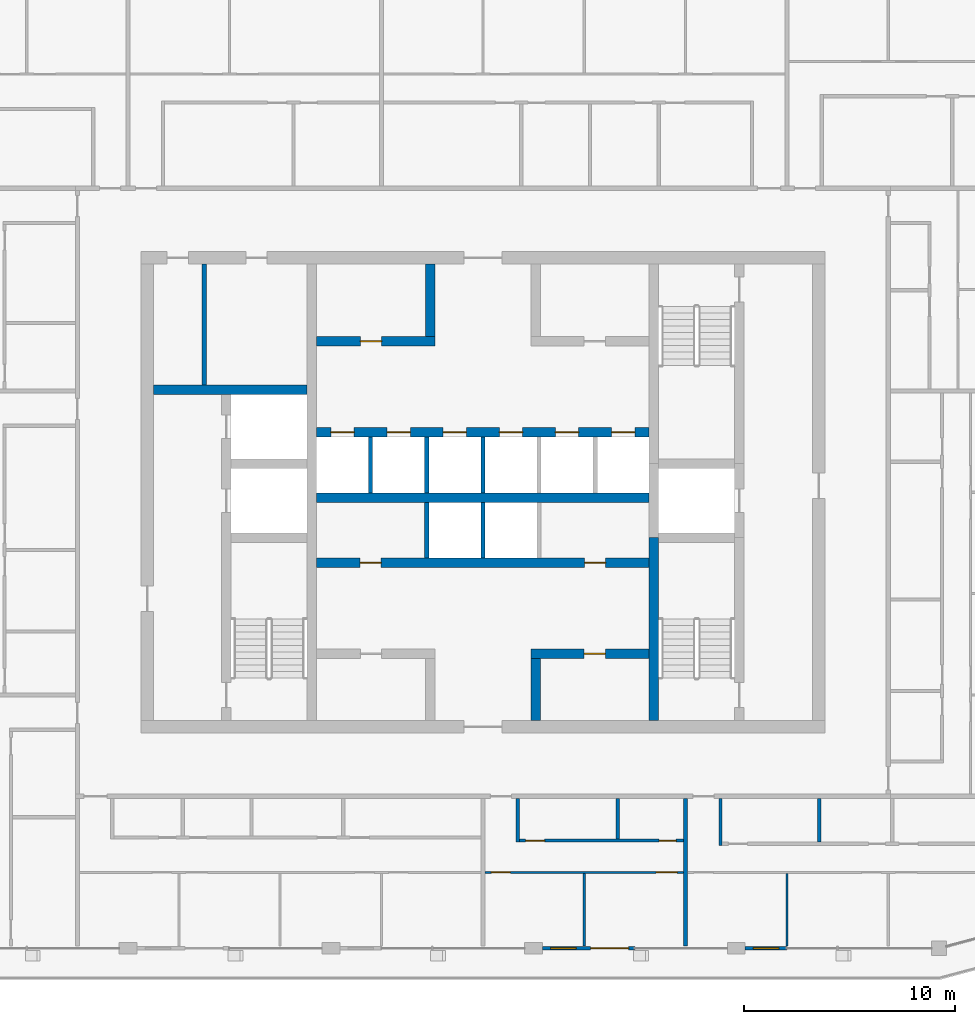
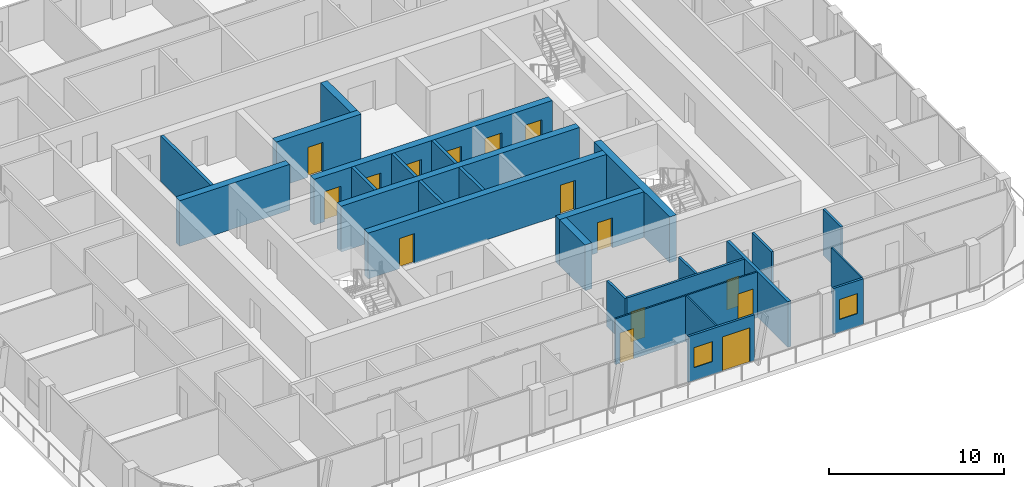
# One storey, part 11 of 21: 26 walls, 15 doors, 2 windows, 17 openings.
"""IFC4 building model written with IfcOpenShell, lengths in metres."""

from ifc_helpers import new_model, si_unit, direction, frame, frame_2d, origin, place, context, subcontext, project, spatial, rectangle, extrude, material, layer, layer_set, type_object, element, fill, save


model = new_model("IFC4")

# Units and contexts
model_context = context("Model", 3, precision=1e-05, world=origin(), true_north=direction((0.0, 1.0)))
body_context = subcontext(model_context, "Body", "Model", "MODEL_VIEW")
ifc_project = project(units=[si_unit("LENGTHUNIT", "METRE"), si_unit("AREAUNIT", "SQUARE_METRE"), si_unit("VOLUMEUNIT", "CUBIC_METRE"), si_unit("PLANEANGLEUNIT", "RADIAN"), si_unit("MASSUNIT", "GRAM", prefix="KILO")], contexts=[model_context])

# Site, building, storey
site_placement = place(None, origin())
site = spatial("IfcSite", under=ifc_project, at=site_placement, CompositionType="ELEMENT")
building_placement = place(site_placement, origin())
building = spatial("IfcBuilding", under=site, at=building_placement, Name="Madar Terraces", CompositionType="ELEMENT")
storey_placement = place(building_placement, frame((0.0, 0.0, 242.199951171875)))
storey = spatial("IfcBuildingStorey", under=building, at=storey_placement, Name="L63", CompositionType="ELEMENT", Elevation=242.199951171875)

# Walls
ifc_material_1 = material(Name="Concrete C55/67", Category="concrete")
ifc_layer_1 = layer(ifc_material_1, 0.449951171875)
ifc_layer_set_1 = layer_set([ifc_layer_1], Name="Concrete C55/67 (CIW5 RC wall 450)")
wall_type_1 = type_object("IfcWallType", Name="CIW5 RC wall 450", PredefinedType="SHEAR", material=ifc_layer_set_1)
wall_1_placement = place(storey_placement, frame((39.300048828125, 15.60009765625, 0.0), z_axis=(0.0, 0.0, 1.0), x_axis=(0.0, 1.0, 0.0)))
element("IfcWall", 1, at=wall_1_placement, inside=storey, type_object=wall_type_1, Name="CORE SHAFT WALL", PredefinedType="SHEAR", context=body_context, shape_type="SweptSolid", body=[
    extrude(rectangle(XDim=8.64990234375, YDim=0.449951171875, at=frame_2d((4.324951171875, 0.0))), origin(), (0.0, 0.0, 1.0), 3.199951171875),
])
wall_2_placement = place(storey_placement, frame((15.60009765625, 31.25, 0.0), z_axis=(0.0, 0.0, 1.0), x_axis=(1.0, 0.0, 0.0)))
element("IfcWall", 2, at=wall_2_placement, inside=storey, type_object=wall_type_1, Name="CORE SHAFT WALL", PredefinedType="SHEAR", context=body_context, shape_type="SweptSolid", body=[
    extrude(rectangle(XDim=7.27490234375, YDim=0.449951171875, at=frame_2d((3.637451171875, 0.0))), origin(), (0.0, 0.0, 1.0), 3.199951171875),
])

# Wall, opening, door
wall_3_placement = place(storey_placement, frame((33.47509765625, 18.75, 0.0), z_axis=(0.0, 0.0, 1.0), x_axis=(1.0, 0.0, 0.0)))
wall_3 = element("IfcWall", 3, at=wall_3_placement, inside=storey, type_object=wall_type_1, Name="CORE SHAFT WALL", PredefinedType="SHEAR", context=body_context, shape_type="SweptSolid", body=[
    extrude(rectangle(XDim=5.599853515625, YDim=0.449951171875, at=frame_2d((2.7998046875, 0.0))), origin(), (0.0, 0.0, 1.0), 3.199951171875),
])
opening_1_placement = place(wall_3_placement, frame((2.52490234375, 0.0, 0.0)))
opening_1 = element("IfcOpeningElement", 4, at=opening_1_placement, cuts=wall_3, Name="Opening KD2", PredefinedType="OPENING", context=body_context, shape_type="SweptSolid", body=[
    extrude(rectangle(XDim=1.0, YDim=2.10009765625, at=frame_2d((0.5, 1.050048828125))), frame((0.0, 0.23486328125, 0.0), z_axis=(0.0, -1.0, 0.0), x_axis=(1.0, 0.0, 0.0)), (0.0, 0.0, 1.0), 0.469970703125),
])
ifc_material_2 = material(Name="Steel door leaf", Category="steel")
door_type_1 = type_object("IfcDoorType", Name="Service room door 1000 x 2100", OperationType="NOTDEFINED", PredefinedType="DOOR", material=ifc_material_2)
door_1_placement = place(opening_1_placement, origin())
door_1 = element("IfcDoor", 5, at=door_1_placement, inside=storey, type_object=door_type_1, Name="SERVICE ROOM DOOR", OperationType="SINGLE_SWING_LEFT", OverallHeight=2.10009765625, OverallWidth=1.0, PredefinedType="DOOR", context=body_context, shape_type="SweptSolid", body=[
    extrude(rectangle(XDim=1.0, YDim=2.10009765625, at=frame_2d((0.5, 1.050048828125))), frame((0.0, 0.02490234375, 0.0), z_axis=(0.0, -1.0, 0.0), x_axis=(1.0, 0.0, 0.0)), (0.0, 0.0, 1.0), 0.050048828125),
])
fill(opening_1, door_1)

# Wall, openings, doors
wall_4_placement = place(storey_placement, frame((23.324951171875, 23.050048828125, 0.0), z_axis=(0.0, 0.0, 1.0), x_axis=(1.0, 0.0, 0.0)))
wall_4 = element("IfcWall", 6, at=wall_4_placement, inside=storey, type_object=wall_type_1, Name="CORE SHAFT WALL", PredefinedType="SHEAR", context=body_context, shape_type="SweptSolid", body=[
    extrude(rectangle(XDim=15.75, YDim=0.449951171875, at=frame_2d((7.875, 0.0))), origin(), (0.0, 0.0, 1.0), 3.199951171875),
])
opening_2_placement = place(wall_4_placement, frame((2.058349609375, 0.0, 0.0)))
opening_2 = element("IfcOpeningElement", 7, at=opening_2_placement, cuts=wall_4, Name="Opening KD2", PredefinedType="OPENING", context=body_context, shape_type="SweptSolid", body=[
    extrude(rectangle(XDim=1.0, YDim=2.10009765625, at=frame_2d((0.5, 1.050048828125))), frame((0.0, 0.23486328125, 0.0), z_axis=(0.0, -1.0, 0.0), x_axis=(1.0, 0.0, 0.0)), (0.0, 0.0, 1.0), 0.469970703125),
])
opening_3_placement = place(wall_4_placement, frame((12.691650390625, 0.0, 0.0)))
opening_3 = element("IfcOpeningElement", 8, at=opening_3_placement, cuts=wall_4, Name="Opening KD2", PredefinedType="OPENING", context=body_context, shape_type="SweptSolid", body=[
    extrude(rectangle(XDim=1.0, YDim=2.10009765625, at=frame_2d((0.5, 1.050048828125))), frame((0.0, 0.23486328125, 0.0), z_axis=(0.0, -1.0, 0.0), x_axis=(1.0, 0.0, 0.0)), (0.0, 0.0, 1.0), 0.469970703125),
])
door_2_placement = place(opening_2_placement, frame((1.0, 0.0, 0.0), z_axis=(0.0, 0.0, 1.0), x_axis=(-1.0, 0.0, 0.0)))
door_2 = element("IfcDoor", 9, at=door_2_placement, inside=storey, type_object=door_type_1, Name="SERVICE ROOM DOOR", OperationType="SINGLE_SWING_RIGHT", OverallHeight=2.10009765625, OverallWidth=1.0, PredefinedType="DOOR", context=body_context, shape_type="SweptSolid", body=[
    extrude(rectangle(XDim=1.0, YDim=2.10009765625, at=frame_2d((0.5, 1.050048828125))), frame((0.0, 0.02490234375, 0.0), z_axis=(0.0, -1.0, 0.0), x_axis=(1.0, 0.0, 0.0)), (0.0, 0.0, 1.0), 0.050048828125),
])
fill(opening_2, door_2)
door_3_placement = place(opening_3_placement, frame((1.0, 0.0, 0.0), z_axis=(0.0, 0.0, 1.0), x_axis=(-1.0, 0.0, 0.0)))
door_3 = element("IfcDoor", 10, at=door_3_placement, inside=storey, type_object=door_type_1, Name="SERVICE ROOM DOOR", OperationType="SINGLE_SWING_LEFT", OverallHeight=2.10009765625, OverallWidth=1.0, PredefinedType="DOOR", context=body_context, shape_type="SweptSolid", body=[
    extrude(rectangle(XDim=1.0, YDim=2.10009765625, at=frame_2d((0.5, 1.050048828125))), frame((0.0, 0.02490234375, 0.0), z_axis=(0.0, -1.0, 0.0), x_axis=(1.0, 0.0, 0.0)), (0.0, 0.0, 1.0), 0.050048828125),
])
fill(opening_3, door_3)

# Wall
wall_5_placement = place(storey_placement, frame((23.324951171875, 26.14990234375, 0.0), z_axis=(0.0, 0.0, 1.0), x_axis=(1.0, 0.0, 0.0)))
element("IfcWall", 11, at=wall_5_placement, inside=storey, type_object=wall_type_1, Name="CORE SHAFT WALL", PredefinedType="SHEAR", context=body_context, shape_type="SweptSolid", body=[
    extrude(rectangle(XDim=15.75, YDim=0.449951171875, at=frame_2d((7.875, 0.0))), origin(), (0.0, 0.0, 1.0), 3.199951171875),
])

# Wall, openings, doors
wall_6_placement = place(storey_placement, frame((23.324951171875, 29.25, 0.0), z_axis=(0.0, 0.0, 1.0), x_axis=(1.0, 0.0, 0.0)))
wall_6 = element("IfcWall", 12, at=wall_6_placement, inside=storey, type_object=wall_type_1, Name="CORE SHAFT WALL", PredefinedType="SHEAR", context=body_context, shape_type="SweptSolid", body=[
    extrude(rectangle(XDim=15.75, YDim=0.449951171875, at=frame_2d((7.875, 0.0))), origin(), (0.0, 0.0, 1.0), 3.199951171875),
])
opening_4_placement = place(wall_6_placement, frame((0.67919921875, 0.0, 0.0)))
opening_4 = element("IfcOpeningElement", 13, at=opening_4_placement, cuts=wall_6, Name="Opening LD", PredefinedType="OPENING", context=body_context, shape_type="SweptSolid", body=[
    extrude(rectangle(XDim=1.10009765625, YDim=2.10009765625, at=frame_2d((0.550048828125, 1.050048828125))), frame((0.0, 0.23486328125, 0.0), z_axis=(0.0, -1.0, 0.0), x_axis=(1.0, 0.0, 0.0)), (0.0, 0.0, 1.0), 0.469970703125),
])
opening_5_placement = place(wall_6_placement, frame((3.33740234375, 0.0, 0.0)))
opening_5 = element("IfcOpeningElement", 14, at=opening_5_placement, cuts=wall_6, Name="Opening LD", PredefinedType="OPENING", context=body_context, shape_type="SweptSolid", body=[
    extrude(rectangle(XDim=1.10009765625, YDim=2.10009765625, at=frame_2d((0.550048828125, 1.050048828125))), frame((0.0, 0.23486328125, 0.0), z_axis=(0.0, -1.0, 0.0), x_axis=(1.0, 0.0, 0.0)), (0.0, 0.0, 1.0), 0.469970703125),
])
opening_6_placement = place(wall_6_placement, frame((5.995849609375, 0.0, 0.0)))
opening_6 = element("IfcOpeningElement", 15, at=opening_6_placement, cuts=wall_6, Name="Opening LD", PredefinedType="OPENING", context=body_context, shape_type="SweptSolid", body=[
    extrude(rectangle(XDim=1.10009765625, YDim=2.10009765625, at=frame_2d((0.550048828125, 1.050048828125))), frame((0.0, 0.23486328125, 0.0), z_axis=(0.0, -1.0, 0.0), x_axis=(1.0, 0.0, 0.0)), (0.0, 0.0, 1.0), 0.469970703125),
])
opening_7_placement = place(wall_6_placement, frame((8.654052734375, 0.0, 0.0)))
opening_7 = element("IfcOpeningElement", 16, at=opening_7_placement, cuts=wall_6, Name="Opening LD", PredefinedType="OPENING", context=body_context, shape_type="SweptSolid", body=[
    extrude(rectangle(XDim=1.10009765625, YDim=2.10009765625, at=frame_2d((0.550048828125, 1.050048828125))), frame((0.0, 0.23486328125, 0.0), z_axis=(0.0, -1.0, 0.0), x_axis=(1.0, 0.0, 0.0)), (0.0, 0.0, 1.0), 0.469970703125),
])
opening_8_placement = place(wall_6_placement, frame((11.3125, 0.0, 0.0)))
opening_8 = element("IfcOpeningElement", 17, at=opening_8_placement, cuts=wall_6, Name="Opening LD", PredefinedType="OPENING", context=body_context, shape_type="SweptSolid", body=[
    extrude(rectangle(XDim=1.10009765625, YDim=2.10009765625, at=frame_2d((0.550048828125, 1.050048828125))), frame((0.0, 0.23486328125, 0.0), z_axis=(0.0, -1.0, 0.0), x_axis=(1.0, 0.0, 0.0)), (0.0, 0.0, 1.0), 0.469970703125),
])
opening_9_placement = place(wall_6_placement, frame((13.970947265625, 0.0, 0.0)))
opening_9 = element("IfcOpeningElement", 18, at=opening_9_placement, cuts=wall_6, Name="Opening LD", PredefinedType="OPENING", context=body_context, shape_type="SweptSolid", body=[
    extrude(rectangle(XDim=1.10009765625, YDim=2.10009765625, at=frame_2d((0.550048828125, 1.050048828125))), frame((0.0, 0.23486328125, 0.0), z_axis=(0.0, -1.0, 0.0), x_axis=(1.0, 0.0, 0.0)), (0.0, 0.0, 1.0), 0.469970703125),
])
ifc_material_3 = material(Name="Stainless steel panel", Category="steel")
door_type_2 = type_object("IfcDoorType", Name="Lift landing door 1100 x 2100", OperationType="DOUBLE_DOOR_SLIDING", PredefinedType="DOOR", material=ifc_material_3)
door_4_placement = place(opening_4_placement, origin())
door_4 = element("IfcDoor", 19, at=door_4_placement, inside=storey, type_object=door_type_2, Name="LIFT LANDING DOOR", OperationType="DOUBLE_DOOR_SLIDING", OverallHeight=2.10009765625, OverallWidth=1.10009765625, PredefinedType="DOOR", context=body_context, shape_type="SweptSolid", body=[
    extrude(rectangle(XDim=1.10009765625, YDim=2.10009765625, at=frame_2d((0.550048828125, 1.050048828125))), frame((0.0, 0.02490234375, 0.0), z_axis=(0.0, -1.0, 0.0), x_axis=(1.0, 0.0, 0.0)), (0.0, 0.0, 1.0), 0.050048828125),
])
fill(opening_4, door_4)
door_5_placement = place(opening_5_placement, origin())
door_5 = element("IfcDoor", 20, at=door_5_placement, inside=storey, type_object=door_type_2, Name="LIFT LANDING DOOR", OperationType="DOUBLE_DOOR_SLIDING", OverallHeight=2.10009765625, OverallWidth=1.10009765625, PredefinedType="DOOR", context=body_context, shape_type="SweptSolid", body=[
    extrude(rectangle(XDim=1.10009765625, YDim=2.10009765625, at=frame_2d((0.550048828125, 1.050048828125))), frame((0.0, 0.02490234375, 0.0), z_axis=(0.0, -1.0, 0.0), x_axis=(1.0, 0.0, 0.0)), (0.0, 0.0, 1.0), 0.050048828125),
])
fill(opening_5, door_5)
door_6_placement = place(opening_6_placement, origin())
door_6 = element("IfcDoor", 21, at=door_6_placement, inside=storey, type_object=door_type_2, Name="LIFT LANDING DOOR", OperationType="DOUBLE_DOOR_SLIDING", OverallHeight=2.10009765625, OverallWidth=1.10009765625, PredefinedType="DOOR", context=body_context, shape_type="SweptSolid", body=[
    extrude(rectangle(XDim=1.10009765625, YDim=2.10009765625, at=frame_2d((0.550048828125, 1.050048828125))), frame((0.0, 0.02490234375, 0.0), z_axis=(0.0, -1.0, 0.0), x_axis=(1.0, 0.0, 0.0)), (0.0, 0.0, 1.0), 0.050048828125),
])
fill(opening_6, door_6)
door_7_placement = place(opening_7_placement, origin())
door_7 = element("IfcDoor", 22, at=door_7_placement, inside=storey, type_object=door_type_2, Name="LIFT LANDING DOOR", OperationType="DOUBLE_DOOR_SLIDING", OverallHeight=2.10009765625, OverallWidth=1.10009765625, PredefinedType="DOOR", context=body_context, shape_type="SweptSolid", body=[
    extrude(rectangle(XDim=1.10009765625, YDim=2.10009765625, at=frame_2d((0.550048828125, 1.050048828125))), frame((0.0, 0.02490234375, 0.0), z_axis=(0.0, -1.0, 0.0), x_axis=(1.0, 0.0, 0.0)), (0.0, 0.0, 1.0), 0.050048828125),
])
fill(opening_7, door_7)
door_8_placement = place(opening_8_placement, origin())
door_8 = element("IfcDoor", 23, at=door_8_placement, inside=storey, type_object=door_type_2, Name="LIFT LANDING DOOR", OperationType="DOUBLE_DOOR_SLIDING", OverallHeight=2.10009765625, OverallWidth=1.10009765625, PredefinedType="DOOR", context=body_context, shape_type="SweptSolid", body=[
    extrude(rectangle(XDim=1.10009765625, YDim=2.10009765625, at=frame_2d((0.550048828125, 1.050048828125))), frame((0.0, 0.02490234375, 0.0), z_axis=(0.0, -1.0, 0.0), x_axis=(1.0, 0.0, 0.0)), (0.0, 0.0, 1.0), 0.050048828125),
])
fill(opening_8, door_8)
door_9_placement = place(opening_9_placement, origin())
door_9 = element("IfcDoor", 24, at=door_9_placement, inside=storey, type_object=door_type_2, Name="LIFT LANDING DOOR", OperationType="DOUBLE_DOOR_SLIDING", OverallHeight=2.10009765625, OverallWidth=1.10009765625, PredefinedType="DOOR", context=body_context, shape_type="SweptSolid", body=[
    extrude(rectangle(XDim=1.10009765625, YDim=2.10009765625, at=frame_2d((0.550048828125, 1.050048828125))), frame((0.0, 0.02490234375, 0.0), z_axis=(0.0, -1.0, 0.0), x_axis=(1.0, 0.0, 0.0)), (0.0, 0.0, 1.0), 0.050048828125),
])
fill(opening_9, door_9)

# Wall, opening, door
wall_7_placement = place(storey_placement, frame((23.324951171875, 33.550048828125, 0.0), z_axis=(0.0, 0.0, 1.0), x_axis=(1.0, 0.0, 0.0)))
wall_7 = element("IfcWall", 25, at=wall_7_placement, inside=storey, type_object=wall_type_1, Name="CORE SHAFT WALL", PredefinedType="SHEAR", context=body_context, shape_type="SweptSolid", body=[
    extrude(rectangle(XDim=5.60009765625, YDim=0.449951171875, at=frame_2d((2.800048828125, 0.0))), origin(), (0.0, 0.0, 1.0), 3.199951171875),
])
opening_10_placement = place(wall_7_placement, frame((2.074951171875, 0.0, 0.0)))
opening_10 = element("IfcOpeningElement", 26, at=opening_10_placement, cuts=wall_7, Name="Opening KD2", PredefinedType="OPENING", context=body_context, shape_type="SweptSolid", body=[
    extrude(rectangle(XDim=1.0, YDim=2.10009765625, at=frame_2d((0.5, 1.050048828125))), frame((0.0, 0.23486328125, 0.0), z_axis=(0.0, -1.0, 0.0), x_axis=(1.0, 0.0, 0.0)), (0.0, 0.0, 1.0), 0.469970703125),
])
door_10_placement = place(opening_10_placement, frame((1.0, 0.0, 0.0), z_axis=(0.0, 0.0, 1.0), x_axis=(-1.0, 0.0, 0.0)))
door_10 = element("IfcDoor", 27, at=door_10_placement, inside=storey, type_object=door_type_1, Name="SERVICE ROOM DOOR", OperationType="SINGLE_SWING_RIGHT", OverallHeight=2.10009765625, OverallWidth=1.0, PredefinedType="DOOR", context=body_context, shape_type="SweptSolid", body=[
    extrude(rectangle(XDim=1.0, YDim=2.10009765625, at=frame_2d((0.5, 1.050048828125))), frame((0.0, 0.02490234375, 0.0), z_axis=(0.0, -1.0, 0.0), x_axis=(1.0, 0.0, 0.0)), (0.0, 0.0, 1.0), 0.050048828125),
])
fill(opening_10, door_10)

# Walls
wall_8_placement = place(storey_placement, frame((33.699951171875, 15.60009765625, 0.0), z_axis=(0.0, 0.0, 1.0), x_axis=(0.0, 1.0, 0.0)))
element("IfcWall", 28, at=wall_8_placement, inside=storey, type_object=wall_type_1, Name="CORE SHAFT WALL", PredefinedType="SHEAR", context=body_context, shape_type="SweptSolid", body=[
    extrude(rectangle(XDim=2.9248046875, YDim=0.449951171875, at=frame_2d((1.46240234375, 0.0))), origin(), (0.0, 0.0, 1.0), 3.199951171875),
])
wall_9_placement = place(storey_placement, frame((28.699951171875, 33.77490234375, 0.0), z_axis=(0.0, 0.0, 1.0), x_axis=(0.0, 1.0, 0.0)))
element("IfcWall", 29, at=wall_9_placement, inside=storey, type_object=wall_type_1, Name="CORE SHAFT WALL", PredefinedType="SHEAR", context=body_context, shape_type="SweptSolid", body=[
    extrude(rectangle(XDim=3.425048828125, YDim=0.449951171875, at=frame_2d((1.71240234375, 0.0))), origin(), (0.0, 0.0, 1.0), 3.199951171875),
])
ifc_material_4 = material(Name="Masonry blockwork", Category="masonry")
ifc_layer_2 = layer(ifc_material_4, 0.199951171875)
ifc_layer_set_2 = layer_set([ifc_layer_2], Name="Core partition 200 blockwork")
wall_type_2 = type_object("IfcWallType", Name="Core partition 200 blockwork", PredefinedType="PARTITIONING", material=ifc_layer_set_2)
wall_10_placement = place(storey_placement, frame((18.000732421875, 31.47509765625, 0.0), z_axis=(0.0, 0.0, 1.0), x_axis=(0.0, 1.0, 0.0)))
element("IfcWall", 30, at=wall_10_placement, inside=storey, type_object=wall_type_2, Name="SERVICE ROOM PARTITION", PredefinedType="PARTITIONING", context=body_context, shape_type="SweptSolid", body=[
    extrude(rectangle(XDim=5.724853515625, YDim=0.199951171875, at=frame_2d((2.8623046875, 0.0))), origin(), (0.0, 0.0, 1.0), 3.199951171875),
])
ifc_material_5 = material(Name="Concrete C40/50", Category="concrete")
ifc_layer_3 = layer(ifc_material_5, 0.199951171875)
ifc_layer_set_3 = layer_set([ifc_layer_3], Name="Core shaft dividing wall 200 C40/50")
wall_type_3 = type_object("IfcWallType", Name="Core shaft dividing wall 200 C40/50", PredefinedType="SOLIDWALL", material=ifc_layer_set_3)
wall_11_placement = place(storey_placement, frame((25.88330078125, 26.375, 0.0), z_axis=(0.0, 0.0, 1.0), x_axis=(0.0, 1.0, 0.0)))
element("IfcWall", 31, at=wall_11_placement, inside=storey, type_object=wall_type_3, Name="SHAFT DIVIDING WALL", PredefinedType="SOLIDWALL", context=body_context, shape_type="SweptSolid", body=[
    extrude(rectangle(XDim=2.64990234375, YDim=0.199951171875, at=frame_2d((1.324951171875, 0.0))), origin(), (0.0, 0.0, 1.0), 3.199951171875),
])
wall_12_placement = place(storey_placement, frame((28.541748046875, 23.27490234375, 0.0), z_axis=(0.0, 0.0, 1.0), x_axis=(0.0, 1.0, 0.0)))
element("IfcWall", 32, at=wall_12_placement, inside=storey, type_object=wall_type_3, Name="SHAFT DIVIDING WALL", PredefinedType="SOLIDWALL", context=body_context, shape_type="SweptSolid", body=[
    extrude(rectangle(XDim=2.650146484375, YDim=0.199951171875, at=frame_2d((1.3251953125, 0.0))), origin(), (0.0, 0.0, 1.0), 3.199951171875),
])
wall_13_placement = place(storey_placement, frame((28.541748046875, 26.375, 0.0), z_axis=(0.0, 0.0, 1.0), x_axis=(0.0, 1.0, 0.0)))
element("IfcWall", 33, at=wall_13_placement, inside=storey, type_object=wall_type_3, Name="SHAFT DIVIDING WALL", PredefinedType="SOLIDWALL", context=body_context, shape_type="SweptSolid", body=[
    extrude(rectangle(XDim=2.64990234375, YDim=0.199951171875, at=frame_2d((1.324951171875, 0.0))), origin(), (0.0, 0.0, 1.0), 3.199951171875),
])
wall_14_placement = place(storey_placement, frame((31.199951171875, 23.27490234375, 0.0), z_axis=(0.0, 0.0, 1.0), x_axis=(0.0, 1.0, 0.0)))
element("IfcWall", 34, at=wall_14_placement, inside=storey, type_object=wall_type_3, Name="SHAFT DIVIDING WALL", PredefinedType="SOLIDWALL", context=body_context, shape_type="SweptSolid", body=[
    extrude(rectangle(XDim=2.650146484375, YDim=0.199951171875, at=frame_2d((1.3251953125, 0.0))), origin(), (0.0, 0.0, 1.0), 3.199951171875),
])
wall_15_placement = place(storey_placement, frame((31.199951171875, 26.375, 0.0), z_axis=(0.0, 0.0, 1.0), x_axis=(0.0, 1.0, 0.0)))
element("IfcWall", 35, at=wall_15_placement, inside=storey, type_object=wall_type_3, Name="SHAFT DIVIDING WALL", PredefinedType="SOLIDWALL", context=body_context, shape_type="SweptSolid", body=[
    extrude(rectangle(XDim=2.64990234375, YDim=0.199951171875, at=frame_2d((1.324951171875, 0.0))), origin(), (0.0, 0.0, 1.0), 3.199951171875),
])

# Wall, openings, door, window
ifc_material_6 = material(Name="Aluminium composite panel, black, over insulated backing", Category="aluminium")
ifc_layer_4 = layer(ifc_material_6, 0.14990234375)
ifc_layer_set_4 = layer_set([ifc_layer_4], Name="Facade bay panel 150")
wall_type_4 = type_object("IfcWallType", Name="Facade bay panel 150", PredefinedType="SOLIDWALL", material=ifc_layer_set_4)
wall_16_placement = place(storey_placement, frame((34.02490234375, 4.800048828125, 0.0), z_axis=(0.0, 0.0, 1.0), x_axis=(1.0, 0.0, 0.0)))
wall_16 = element("IfcWall", 36, at=wall_16_placement, inside=storey, type_object=wall_type_4, Name="Facade bay panel", PredefinedType="SOLIDWALL", context=body_context, shape_type="SweptSolid", body=[
    extrude(rectangle(XDim=4.375, YDim=0.14990234375, at=frame_2d((2.1875, 0.0))), origin(), (0.0, 0.0, 1.0), 3.199951171875),
])
opening_11_placement = place(wall_16_placement, frame((0.387451171875, 0.0, 0.89990234375)))
opening_11 = element("IfcOpeningElement", 37, at=opening_11_placement, cuts=wall_16, Name="Opening W1", PredefinedType="OPENING", context=body_context, shape_type="SweptSolid", body=[
    extrude(rectangle(XDim=1.199951171875, YDim=1.39990234375, at=frame_2d((0.60009765625, 0.699951171875))), frame((0.0, 0.0849609375, 0.0), z_axis=(0.0, -1.0, 0.0), x_axis=(1.0, 0.0, 0.0)), (0.0, 0.0, 1.0), 0.169921875),
])
opening_12_placement = place(wall_16_placement, frame((2.27490234375, 0.0, 0.0)))
opening_12 = element("IfcOpeningElement", 38, at=opening_12_placement, cuts=wall_16, Name="Opening ED1", PredefinedType="OPENING", context=body_context, shape_type="SweptSolid", body=[
    extrude(rectangle(XDim=1.800048828125, YDim=2.39990234375, at=frame_2d((0.89990234375, 1.199951171875))), frame((0.0, 0.0849609375, 0.0), z_axis=(0.0, -1.0, 0.0), x_axis=(1.0, 0.0, 0.0)), (0.0, 0.0, 1.0), 0.169921875),
])
ifc_material_7 = material(Name="Glass, clear, with black aluminium frame", Category="aluminium")
door_type_3 = type_object("IfcDoorType", Name="Balcony and terrace sliding door 1800 x 2400", OperationType="SLIDING_TO_LEFT", PredefinedType="DOOR", material=ifc_material_7)
door_11_placement = place(opening_12_placement, origin())
door_11 = element("IfcDoor", 39, at=door_11_placement, inside=storey, type_object=door_type_3, Name="Balcony door", OperationType="SLIDING_TO_RIGHT", OverallHeight=2.39990234375, OverallWidth=1.800048828125, PredefinedType="DOOR", context=body_context, shape_type="SweptSolid", body=[
    extrude(rectangle(XDim=1.800048828125, YDim=2.39990234375, at=frame_2d((0.89990234375, 1.199951171875))), frame((0.0, 0.02490234375, 0.0), z_axis=(0.0, -1.0, 0.0), x_axis=(1.0, 0.0, 0.0)), (0.0, 0.0, 1.0), 0.050048828125),
])
fill(opening_12, door_11)
ifc_material_8 = material(Name="Glass, clear, with black aluminium frame", Category="aluminium")
window_type = type_object("IfcWindowType", Name="Vent window 1200 x 1400", PartitioningType="SINGLE_PANEL", PredefinedType="WINDOW", material=ifc_material_8)
window_1_placement = place(opening_11_placement, origin())
window_1 = element("IfcWindow", 40, at=window_1_placement, inside=storey, type_object=window_type, Name="Operable vent window", OverallHeight=1.39990234375, OverallWidth=1.199951171875, PartitioningType="SINGLE_PANEL", PredefinedType="WINDOW", context=body_context, shape_type="SweptSolid", body=[
    extrude(rectangle(XDim=1.199951171875, YDim=1.39990234375, at=frame_2d((0.60009765625, 0.699951171875))), frame((0.0, 0.030029296875, 0.0), z_axis=(0.0, -1.0, 0.0), x_axis=(1.0, 0.0, 0.0)), (0.0, 0.0, 1.0), 0.06005859375),
])
fill(opening_11, window_1)

# Wall, opening, window
wall_17_placement = place(storey_placement, frame((43.625, 4.800048828125, 0.0), z_axis=(0.0, 0.0, 1.0), x_axis=(1.0, 0.0, 0.0)))
wall_17 = element("IfcWall", 41, at=wall_17_placement, inside=storey, type_object=wall_type_4, Name="Facade bay panel", PredefinedType="SOLIDWALL", context=body_context, shape_type="SweptSolid", body=[
    extrude(rectangle(XDim=1.97509765625, YDim=0.14990234375, at=frame_2d((0.987548828125, 0.0))), origin(), (0.0, 0.0, 1.0), 3.199951171875),
])
opening_13_placement = place(wall_17_placement, frame((0.387451171875, 0.0, 0.89990234375)))
opening_13 = element("IfcOpeningElement", 42, at=opening_13_placement, cuts=wall_17, Name="Opening W1", PredefinedType="OPENING", context=body_context, shape_type="SweptSolid", body=[
    extrude(rectangle(XDim=1.199951171875, YDim=1.39990234375, at=frame_2d((0.60009765625, 0.699951171875))), frame((0.0, 0.0849609375, 0.0), z_axis=(0.0, -1.0, 0.0), x_axis=(1.0, 0.0, 0.0)), (0.0, 0.0, 1.0), 0.169921875),
])
window_2_placement = place(opening_13_placement, origin())
window_2 = element("IfcWindow", 43, at=window_2_placement, inside=storey, type_object=window_type, Name="Operable vent window", OverallHeight=1.39990234375, OverallWidth=1.199951171875, PartitioningType="SINGLE_PANEL", PredefinedType="WINDOW", context=body_context, shape_type="SweptSolid", body=[
    extrude(rectangle(XDim=1.199951171875, YDim=1.39990234375, at=frame_2d((0.60009765625, 0.699951171875))), frame((0.0, 0.030029296875, 0.0), z_axis=(0.0, -1.0, 0.0), x_axis=(1.0, 0.0, 0.0)), (0.0, 0.0, 1.0), 0.06005859375),
])
fill(opening_13, window_2)

# Wall
ifc_material_9 = material(Name="Gypsum board on steel studs", Category="steel")
ifc_layer_5 = layer(ifc_material_9, 0.10009765625)
ifc_layer_set_5 = layer_set([ifc_layer_5], Name="Flat partition 100")
wall_type_5 = type_object("IfcWallType", Name="Flat partition 100", PredefinedType="PARTITIONING", material=ifc_layer_set_5)
wall_18_placement = place(storey_placement, frame((36.0, 8.35009765625, 0.0), z_axis=(0.0, 0.0, 1.0), x_axis=(0.0, -1.0, 0.0)))
element("IfcWall", 44, at=wall_18_placement, inside=storey, type_object=wall_type_5, Name="Flat partition 100", PredefinedType="PARTITIONING", context=body_context, shape_type="SweptSolid", body=[
    extrude(rectangle(XDim=3.4501953125, YDim=0.10009765625, at=frame_2d((1.72509765625, 0.0))), origin(), (0.0, 0.0, 1.0), 3.199951171875),
])

# Wall, openings, doors
wall_19_placement = place(storey_placement, frame((40.699951171875, 8.39990234375, 0.0), z_axis=(0.0, 0.0, 1.0), x_axis=(-1.0, 0.0, 0.0)))
wall_19 = element("IfcWall", 45, at=wall_19_placement, inside=storey, type_object=wall_type_5, Name="Flat partition 100", PredefinedType="PARTITIONING", context=body_context, shape_type="SweptSolid", body=[
    extrude(rectangle(XDim=9.39990234375, YDim=0.10009765625, at=frame_2d((4.699951171875, 0.0))), origin(), (0.0, 0.0, 1.0), 3.199951171875),
])
opening_14_placement = place(wall_19_placement, frame((8.199951171875, 0.0, 0.0)))
opening_14 = element("IfcOpeningElement", 46, at=opening_14_placement, cuts=wall_19, Name="Opening D2", PredefinedType="OPENING", context=body_context, shape_type="SweptSolid", body=[
    extrude(rectangle(XDim=0.89990234375, YDim=2.10009765625, at=frame_2d((0.449951171875, 1.050048828125))), frame((0.0, 0.06005859375, 0.0), z_axis=(0.0, -1.0, 0.0), x_axis=(1.0, 0.0, 0.0)), (0.0, 0.0, 1.0), 0.1201171875),
])
opening_15_placement = place(wall_19_placement, frame((0.300048828125, 0.0, 0.0)))
opening_15 = element("IfcOpeningElement", 47, at=opening_15_placement, cuts=wall_19, Name="Opening D3", PredefinedType="OPENING", context=body_context, shape_type="SweptSolid", body=[
    extrude(rectangle(XDim=1.0, YDim=2.10009765625, at=frame_2d((0.5, 1.050048828125))), frame((0.0, 0.06005859375, 0.0), z_axis=(0.0, -1.0, 0.0), x_axis=(1.0, 0.0, 0.0)), (0.0, 0.0, 1.0), 0.1201171875),
])
ifc_material_10 = material(Name="Timber door leaf", Category="wood")
door_type_4 = type_object("IfcDoorType", Name="Flat living room door 1000", OperationType="NOTDEFINED", PredefinedType="DOOR", material=ifc_material_10)
door_12_placement = place(opening_15_placement, origin())
door_12 = element("IfcDoor", 48, at=door_12_placement, inside=storey, type_object=door_type_4, Name="Flat living room door 1000", OperationType="SINGLE_SWING_LEFT", OverallHeight=2.10009765625, OverallWidth=1.0, PredefinedType="DOOR", context=body_context, shape_type="SweptSolid", body=[
    extrude(rectangle(XDim=1.0, YDim=2.10009765625, at=frame_2d((0.5, 1.050048828125))), frame((0.0, 0.02490234375, 0.0), z_axis=(0.0, -1.0, 0.0), x_axis=(1.0, 0.0, 0.0)), (0.0, 0.0, 1.0), 0.050048828125),
])
fill(opening_15, door_12)
ifc_material_11 = material(Name="Timber door leaf", Category="wood")
door_type_5 = type_object("IfcDoorType", Name="Flat room door 900", OperationType="NOTDEFINED", PredefinedType="DOOR", material=ifc_material_11)
door_13_placement = place(opening_14_placement, origin())
door_13 = element("IfcDoor", 49, at=door_13_placement, inside=storey, type_object=door_type_5, Name="Flat room door 900", OperationType="SINGLE_SWING_RIGHT", OverallHeight=2.10009765625, OverallWidth=0.89990234375, PredefinedType="DOOR", context=body_context, shape_type="SweptSolid", body=[
    extrude(rectangle(XDim=0.89990234375, YDim=2.10009765625, at=frame_2d((0.449951171875, 1.050048828125))), frame((0.0, 0.02490234375, 0.0), z_axis=(0.0, -1.0, 0.0), x_axis=(1.0, 0.0, 0.0)), (0.0, 0.0, 1.0), 0.050048828125),
])
fill(opening_14, door_13)

# Walls
wall_20_placement = place(storey_placement, frame((45.60009765625, 8.35009765625, 0.0), z_axis=(0.0, 0.0, 1.0), x_axis=(0.0, -1.0, 0.0)))
element("IfcWall", 50, at=wall_20_placement, inside=storey, type_object=wall_type_5, Name="Flat partition 100", PredefinedType="PARTITIONING", context=body_context, shape_type="SweptSolid", body=[
    extrude(rectangle(XDim=3.4501953125, YDim=0.10009765625, at=frame_2d((1.72509765625, 0.0))), origin(), (0.0, 0.0, 1.0), 3.199951171875),
])
ifc_material_12 = material(Name="Lightweight blockwork", Category="masonry")
ifc_layer_6 = layer(ifc_material_12, 0.199951171875)
ifc_layer_set_6 = layer_set([ifc_layer_6], Name="Flat party and entrance wall 200")
wall_type_6 = type_object("IfcWallType", Name="Flat party and entrance wall 200", PredefinedType="PARTITIONING", material=ifc_layer_set_6)
wall_21_placement = place(storey_placement, frame((40.800048828125, 11.89990234375, 0.0), z_axis=(0.0, 0.0, 1.0), x_axis=(0.0, -1.0, 0.0)))
element("IfcWall", 51, at=wall_21_placement, inside=storey, type_object=wall_type_6, Name="Flat party and entrance wall 200", PredefinedType="PARTITIONING", context=body_context, shape_type="SweptSolid", body=[
    extrude(rectangle(XDim=7.0, YDim=0.199951171875, at=frame_2d((3.5, 0.0))), origin(), (0.0, 0.0, 1.0), 3.199951171875),
])
ifc_material_13 = material(Name="Lightweight blockwork", Category="masonry")
ifc_layer_7 = layer(ifc_material_13, 0.14990234375)
ifc_layer_set_7 = layer_set([ifc_layer_7], Name="Flat wet-room partition 150")
wall_type_7 = type_object("IfcWallType", Name="Flat wet-room partition 150", PredefinedType="PARTITIONING", material=ifc_layer_set_7)
wall_22_placement = place(storey_placement, frame((37.590087890625, 11.89990234375, 0.0), z_axis=(0.0, 0.0, 1.0), x_axis=(0.0, -1.0, 0.0)))
element("IfcWall", 52, at=wall_22_placement, inside=storey, type_object=wall_type_7, Name="Flat wet-room partition 150", PredefinedType="PARTITIONING", context=body_context, shape_type="SweptSolid", body=[
    extrude(rectangle(XDim=1.9248046875, YDim=0.14990234375, at=frame_2d((0.96240234375, 0.0))), origin(), (0.0, 0.0, 1.0), 3.199951171875),
])
wall_23_placement = place(storey_placement, frame((32.85009765625, 11.89990234375, 0.0), z_axis=(0.0, 0.0, 1.0), x_axis=(0.0, -1.0, 0.0)))
element("IfcWall", 53, at=wall_23_placement, inside=storey, type_object=wall_type_7, Name="Flat wet-room partition 150", PredefinedType="PARTITIONING", context=body_context, shape_type="SweptSolid", body=[
    extrude(rectangle(XDim=2.074951171875, YDim=0.14990234375, at=frame_2d((1.03759765625, 0.0))), origin(), (0.0, 0.0, 1.0), 3.199951171875),
])

# Wall, openings, doors
wall_24_placement = place(storey_placement, frame((32.925048828125, 9.89990234375, 0.0), z_axis=(0.0, 0.0, 1.0), x_axis=(1.0, 0.0, 0.0)))
wall_24 = element("IfcWall", 54, at=wall_24_placement, inside=storey, type_object=wall_type_7, Name="Flat wet-room partition 150", PredefinedType="PARTITIONING", context=body_context, shape_type="SweptSolid", body=[
    extrude(rectangle(XDim=7.77490234375, YDim=0.14990234375, at=frame_2d((3.887451171875, 0.0))), origin(), (0.0, 0.0, 1.0), 3.199951171875),
])
opening_16_placement = place(wall_24_placement, frame((0.300048828125, 0.0, 0.0)))
opening_16 = element("IfcOpeningElement", 55, at=opening_16_placement, cuts=wall_24, Name="Opening D2", PredefinedType="OPENING", context=body_context, shape_type="SweptSolid", body=[
    extrude(rectangle(XDim=0.89990234375, YDim=2.10009765625, at=frame_2d((0.449951171875, 1.050048828125))), frame((0.0, 0.0849609375, 0.0), z_axis=(0.0, -1.0, 0.0), x_axis=(1.0, 0.0, 0.0)), (0.0, 0.0, 1.0), 0.169921875),
])
opening_17_placement = place(wall_24_placement, frame((6.625, 0.0, 0.0)))
opening_17 = element("IfcOpeningElement", 56, at=opening_17_placement, cuts=wall_24, Name="Opening D4", PredefinedType="OPENING", context=body_context, shape_type="SweptSolid", body=[
    extrude(rectangle(XDim=0.800048828125, YDim=2.10009765625, at=frame_2d((0.39990234375, 1.050048828125))), frame((0.0, 0.0849609375, 0.0), z_axis=(0.0, -1.0, 0.0), x_axis=(1.0, 0.0, 0.0)), (0.0, 0.0, 1.0), 0.169921875),
])
ifc_material_14 = material(Name="Timber door leaf", Category="wood")
door_type_6 = type_object("IfcDoorType", Name="Flat bathroom door 800", OperationType="NOTDEFINED", PredefinedType="DOOR", material=ifc_material_14)
door_14_placement = place(opening_17_placement, origin())
door_14 = element("IfcDoor", 57, at=door_14_placement, inside=storey, type_object=door_type_6, Name="Flat bathroom door 800", OperationType="SINGLE_SWING_RIGHT", OverallHeight=2.10009765625, OverallWidth=0.800048828125, PredefinedType="DOOR", context=body_context, shape_type="SweptSolid", body=[
    extrude(rectangle(XDim=0.800048828125, YDim=2.10009765625, at=frame_2d((0.39990234375, 1.050048828125))), frame((0.0, 0.02490234375, 0.0), z_axis=(0.0, -1.0, 0.0), x_axis=(1.0, 0.0, 0.0)), (0.0, 0.0, 1.0), 0.050048828125),
])
fill(opening_17, door_14)
door_15_placement = place(opening_16_placement, origin())
door_15 = element("IfcDoor", 58, at=door_15_placement, inside=storey, type_object=door_type_5, Name="Flat room door 900", OperationType="SINGLE_SWING_LEFT", OverallHeight=2.10009765625, OverallWidth=0.89990234375, PredefinedType="DOOR", context=body_context, shape_type="SweptSolid", body=[
    extrude(rectangle(XDim=0.89990234375, YDim=2.10009765625, at=frame_2d((0.449951171875, 1.050048828125))), frame((0.0, 0.02490234375, 0.0), z_axis=(0.0, -1.0, 0.0), x_axis=(1.0, 0.0, 0.0)), (0.0, 0.0, 1.0), 0.050048828125),
])
fill(opening_16, door_15)

# Walls
wall_25_placement = place(storey_placement, frame((47.1328125, 11.89990234375, 0.0), z_axis=(0.0, 0.0, 1.0), x_axis=(0.0, -1.0, 0.0)))
element("IfcWall", 59, at=wall_25_placement, inside=storey, type_object=wall_type_7, Name="Flat wet-room partition 150", PredefinedType="PARTITIONING", context=body_context, shape_type="SweptSolid", body=[
    extrude(rectangle(XDim=2.074951171875, YDim=0.14990234375, at=frame_2d((1.03759765625, 0.0))), origin(), (0.0, 0.0, 1.0), 3.199951171875),
])
wall_26_placement = place(storey_placement, frame((42.449951171875, 11.89990234375, 0.0), z_axis=(0.0, 0.0, 1.0), x_axis=(0.0, -1.0, 0.0)))
element("IfcWall", 60, at=wall_26_placement, inside=storey, type_object=wall_type_7, Name="Flat wet-room partition 150", PredefinedType="PARTITIONING", context=body_context, shape_type="SweptSolid", body=[
    extrude(rectangle(XDim=2.224853515625, YDim=0.14990234375, at=frame_2d((1.1123046875, 0.0))), origin(), (0.0, 0.0, 1.0), 3.199951171875),
])

save(model, "model.ifc")
